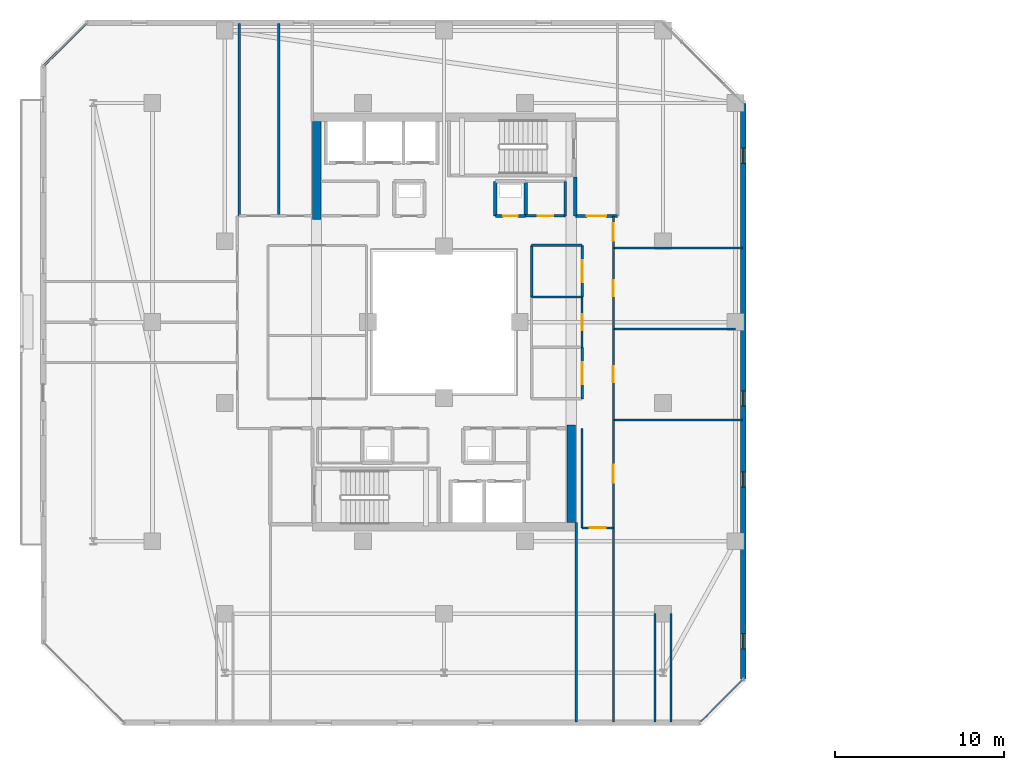
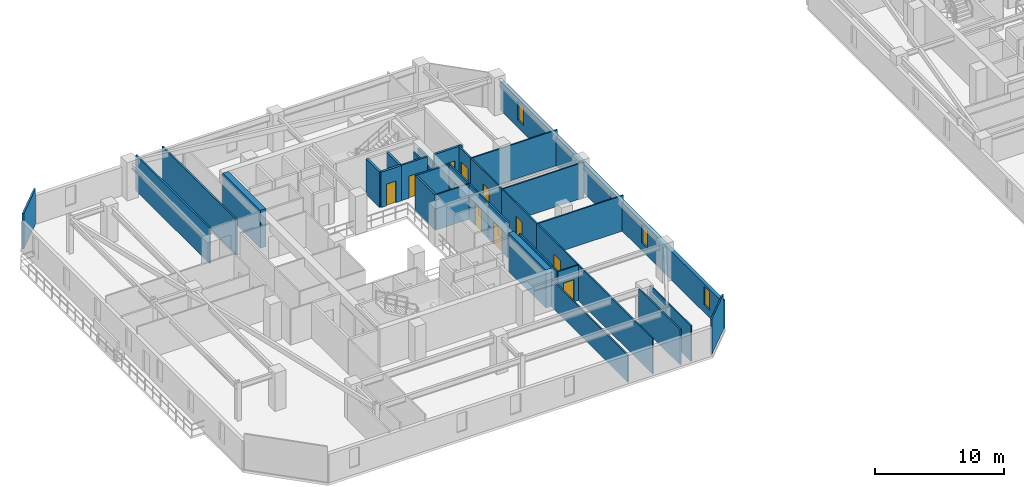
# One storey, part 20 of 32: 33 walls, 11 doors, 4 windows, 15 openings.
"""IFC4 building model written with IfcOpenShell, lengths in metres."""

import ifcopenshell
import ifcopenshell.guid

model = None  # the IFC model being written
_history = None  # IfcOwnerHistory: only IFC2X3 demands one
_inside = {}  # id of a spatial element -> (the spatial element, [elements in it])
_under = {}  # id of a project, library or spatial element -> (it, [spatial elements below it])
_declared = {}  # id of a project -> (the project, [libraries it declares])
_typed = {}  # id of a type object -> (the type object, [elements of that type])
_made_of = {}  # id of a material, layer set ... -> (it, [elements and type objects made of it])


def new_model(schema):
    """Start an empty IFC model of exactly this schema.

    Asked for "IFC4X3", IfcOpenShell would pick the latest addendum, in which some entities
    have other attributes; the version numbers below select the first issue.
    IFC2X3 requires an IfcOwnerHistory on every rooted entity: one is made here for all.
    """
    global model, _history
    if schema == "IFC4X3":
        model = ifcopenshell.file(schema_version=(4, 3, 0, 0))
    else:
        model = ifcopenshell.file(schema=schema)
    _inside.clear()
    _under.clear()
    _declared.clear()
    _typed.clear()
    _made_of.clear()
    _history = None
    if model.schema == "IFC2X3":
        org = make("IfcOrganization", Name="unknown")
        user = make(
            "IfcPersonAndOrganization",
            ThePerson=make("IfcPerson", FamilyName="unknown"),
            TheOrganization=org,
        )
        app = make(
            "IfcApplication",
            ApplicationDeveloper=org,
            Version="unknown",
            ApplicationFullName="unknown",
            ApplicationIdentifier="unknown",
        )
        _history = make(
            "IfcOwnerHistory",
            OwningUser=user,
            OwningApplication=app,
            ChangeAction="ADDED",
            CreationDate=0,
        )
    return model


def make(cls, **values):
    """One entity of the class cls with the attributes given. An attribute that is None is left unset."""
    return model.create_entity(
        cls, **{name: value for name, value in values.items() if value is not None}
    )


def rooted(cls, **values):
    """An entity with a GlobalId (a new one), such as an element, a storey or a relation."""
    return make(cls, GlobalId=ifcopenshell.guid.new(), OwnerHistory=_history, **values)


def si_unit(unit_type, name, prefix=None):
    """IfcSIUnit, for example si_unit("LENGTHUNIT", "METRE", prefix="MILLI")."""
    return make("IfcSIUnit", UnitType=unit_type, Prefix=prefix, Name=name)


def assignment(units):
    """IfcUnitAssignment: the units of a project."""
    return None if units is None else make("IfcUnitAssignment", Units=units)


def point(xyz):
    """IfcCartesianPoint."""
    return None if xyz is None else make("IfcCartesianPoint", Coordinates=xyz)


def direction(xyz):
    """IfcDirection."""
    return None if xyz is None else make("IfcDirection", DirectionRatios=xyz)


def frame(location, z_axis=None, x_axis=None):
    """IfcAxis2Placement3D, a coordinate frame: its origin and axes. An axis left out is left unset."""
    return make(
        "IfcAxis2Placement3D",
        Location=point(location),
        Axis=direction(z_axis),
        RefDirection=direction(x_axis),
    )


def frame_2d(location, x_axis=None):
    """IfcAxis2Placement2D, a coordinate frame in the plane: its origin and x axis."""
    return make(
        "IfcAxis2Placement2D", Location=point(location), RefDirection=direction(x_axis)
    )


def origin():
    """The frame at (0, 0, 0) with its axes left unset."""
    return frame((0.0, 0.0, 0.0))


def place(relative_to, where):
    """IfcLocalPlacement: puts the frame where relative to a parent placement (None: the world)."""
    return make(
        "IfcLocalPlacement", PlacementRelTo=relative_to, RelativePlacement=where
    )


def context(
    kind, dimensions, precision=None, world=None, true_north=None, identifier=None
):
    """IfcGeometricRepresentationContext, for example the 3D "Model" context."""
    return make(
        "IfcGeometricRepresentationContext",
        ContextIdentifier=identifier,
        ContextType=kind,
        CoordinateSpaceDimension=dimensions,
        Precision=precision,
        WorldCoordinateSystem=world,
        TrueNorth=true_north,
    )


def subcontext(parent, identifier, kind, view, scale=None):
    """IfcGeometricRepresentationSubContext, for example "Body" below "Model"."""
    return make(
        "IfcGeometricRepresentationSubContext",
        ContextIdentifier=identifier,
        ContextType=kind,
        ParentContext=parent,
        TargetScale=scale,
        TargetView=view,
    )


def project(units=None, contexts=None):
    """IfcProject with its units and contexts."""
    return rooted(
        "IfcProject",
        Name="project",
        RepresentationContexts=contexts,
        UnitsInContext=assignment(units),
    )


def spatial(cls, under=None, at=None, **own):
    """A site, building, storey or space (cls), placed at a placement, below another one or the project."""
    s = rooted(cls, ObjectPlacement=at, **own)
    if under is not None:
        _under.setdefault(under.id(), (under, []))[1].append(s)
    return s


def profile(cls, at=None, kind="AREA", **sizes):
    """A parametric profile (cls). Its sizes go by their IFC names, for example OverallWidth=200.0."""
    return make(cls, ProfileType=kind, Position=at, **sizes)


def rectangle(**sizes):
    """IfcRectangleProfileDef."""
    return profile("IfcRectangleProfileDef", **sizes)


def extrude(swept, where, along, depth):
    """IfcExtrudedAreaSolid: the profile swept, set in the frame where, extruded along a direction by depth."""
    return make(
        "IfcExtrudedAreaSolid",
        SweptArea=swept,
        Position=where,
        ExtrudedDirection=direction(along),
        Depth=depth,
    )


def shape(context_of_items, identifier, shape_type, items):
    """IfcShapeRepresentation: the items that make up one representation, for example the "Body"."""
    return make(
        "IfcShapeRepresentation",
        ContextOfItems=context_of_items,
        RepresentationIdentifier=identifier,
        RepresentationType=shape_type,
        Items=items,
    )


def material(Name=None, Category=None):
    """IfcMaterial."""
    return make("IfcMaterial", Name=Name, Category=Category)


def layer(
    of_material, thickness, ventilated=None, Name=None, Category=None, Priority=None
):
    """IfcMaterialLayer: one layer of a wall or slab, of a material (None: an air gap)."""
    return make(
        "IfcMaterialLayer",
        Material=of_material,
        LayerThickness=thickness,
        IsVentilated=ventilated,
        Name=Name,
        Category=Category,
        Priority=Priority,
    )


def layer_set(layers, Name=None):
    """IfcMaterialLayerSet."""
    return make("IfcMaterialLayerSet", MaterialLayers=layers, LayerSetName=Name)


def made_of(thing, what):
    """Note that an element or type object is made of a material, layer set ...; save() writes the relation."""
    if what is not None:
        _made_of.setdefault(what.id(), (what, []))[1].append(thing)
    return thing


def type_object(cls, material=None, **own):
    """A type object (cls), such as IfcWallType, which elements share."""
    return made_of(rooted(cls, **own), material)


def element(
    cls,
    number,
    at=None,
    inside=None,
    cuts=None,
    type_object=None,
    material=None,
    context=None,
    identifier="Body",
    shape_type=None,
    held_by="IfcProductDefinitionShape",
    body=None,
    shapes=None,
    **own,
):
    """One element of the class cls, such as IfcWall. Its Tag is "e" and its number.

    at: its placement. inside: the storey or other place that contains it. cuts: it is an
    opening in that element (IfcRelVoidsElement). A single representation is given by context,
    identifier, shape_type and body (its items); several are given by shapes. held_by: the class
    of the entity that holds the representations. save() writes the other relations.
    """
    e = rooted(cls, Tag="e%d" % number, ObjectPlacement=at, **own)
    if body is not None:
        shapes = [shape(context, identifier, shape_type, body)]
    if shapes is not None:
        e.Representation = make(held_by, Representations=shapes)
    if inside is not None:
        _inside.setdefault(inside.id(), (inside, []))[1].append(e)
    if cuts is not None:
        rooted(
            "IfcRelVoidsElement", RelatingBuildingElement=cuts, RelatedOpeningElement=e
        )
    if type_object is not None:
        _typed.setdefault(type_object.id(), (type_object, []))[1].append(e)
    return made_of(e, material)


def fill(opening, filler):
    """IfcRelFillsElement: the door or window that sits in an opening."""
    return rooted(
        "IfcRelFillsElement",
        RelatingOpeningElement=opening,
        RelatedBuildingElement=filler,
    )


def aggregate(whole, parts):
    """IfcRelAggregates: a whole, such as a stair, and the parts it consists of."""
    return rooted("IfcRelAggregates", RelatingObject=whole, RelatedObjects=parts)


def save(model, path):
    """Write the relations noted so far, then the file.

    IfcRelAggregates (storeys below a building ...), IfcRelContainedInSpatialStructure (elements
    in a storey), IfcRelDefinesByType, IfcRelAssociatesMaterial and IfcRelDeclares: one each for
    every whole, place, type object, material and project.
    """
    for whole, parts in _under.values():
        aggregate(whole, parts)
    for where, things in _inside.values():
        rooted(
            "IfcRelContainedInSpatialStructure",
            RelatedElements=things,
            RelatingStructure=where,
        )
    for kind, things in _typed.values():
        rooted("IfcRelDefinesByType", RelatedObjects=things, RelatingType=kind)
    for what, things in _made_of.values():
        rooted("IfcRelAssociatesMaterial", RelatedObjects=things, RelatingMaterial=what)
    for by, libraries in _declared.values():
        rooted("IfcRelDeclares", RelatingContext=by, RelatedDefinitions=libraries)
    model.write(path)


model = new_model("IFC4")

# Units and contexts
model_context = context("Model", 3, precision=1e-05, world=origin(), true_north=direction((0.0, 1.0)))
body_context = subcontext(model_context, "Body", "Model", "MODEL_VIEW")
ifc_project = project(units=[si_unit("LENGTHUNIT", "METRE"), si_unit("AREAUNIT", "SQUARE_METRE"), si_unit("VOLUMEUNIT", "CUBIC_METRE"), si_unit("PLANEANGLEUNIT", "RADIAN"), si_unit("MASSUNIT", "GRAM", prefix="KILO")], contexts=[model_context])

# Site, building, storey
site_placement = place(None, origin())
site = spatial("IfcSite", under=ifc_project, at=site_placement, CompositionType="ELEMENT")
building_placement = place(site_placement, origin())
building = spatial("IfcBuilding", under=site, at=building_placement, Name="Thornwick Lancets Civic Towers", CompositionType="ELEMENT")
storey_placement = place(building_placement, frame((0.0, 0.0, 247.5)))
storey = spatial("IfcBuildingStorey", under=building, at=storey_placement, Name="L66", CompositionType="ELEMENT", Elevation=247.5)

# Wall, opening, door
ifc_material_1 = material(Name="Concrete blockwork C40/50", Category="masonry")
ifc_layer_1 = layer(ifc_material_1, 0.199951171875, Name="Concrete blockwork C40/50")
ifc_layer_set_1 = layer_set([ifc_layer_1], Name="Concrete blockwork C40/50")
wall_type_1 = type_object("IfcWallType", Name="WALL_COMP_200", PredefinedType="STANDARD", material=ifc_layer_set_1)
wall_1_placement = place(storey_placement, frame((33.300048828125, 33.300048828125, 0.0), z_axis=(0.0, 0.0, 1.0), x_axis=(1.0, 0.0, 0.0)))
wall_1 = element("IfcWall", 1, at=wall_1_placement, inside=storey, type_object=wall_type_1, Name="L66 Partition L66-A-FFLOB2 E1", PredefinedType="STANDARD", context=body_context, shape_type="SweptSolid", body=[
    extrude(rectangle(XDim=2.5, YDim=0.199951171875, at=frame_2d((1.25, 0.0))), origin(), (0.0, 0.0, 1.0), 3.340087890625),
])
opening_1_placement = place(wall_1_placement, frame((0.675048828125, 0.0, 0.0)))
opening_1 = element("IfcOpeningElement", 2, at=opening_1_placement, cuts=wall_1, Name="Opening D-L66-2974", PredefinedType="OPENING", context=body_context, shape_type="SweptSolid", body=[
    extrude(rectangle(XDim=1.14990234375, YDim=2.10009765625, at=frame_2d((0.574951171875, 1.050048828125))), frame((0.0, 0.10986328125, 0.0), z_axis=(0.0, -1.0, 0.0), x_axis=(1.0, 0.0, 0.0)), (0.0, 0.0, 1.0), 0.219970703125),
])
ifc_material_2 = material(Name="Glazed fire-resisting steel", Category="steel")
door_type_1 = type_object("IfcDoorType", Name="DOOR_LOBBY_FD60", OperationType="NOTDEFINED", PredefinedType="DOOR", material=ifc_material_2)
door_1_placement = place(opening_1_placement, origin())
door_1 = element("IfcDoor", 3, at=door_1_placement, inside=storey, type_object=door_type_1, Name="L66 North Firefighting Lobby 2 Door", OperationType="SINGLE_SWING_LEFT", OverallHeight=2.10009765625, OverallWidth=1.14990234375, PredefinedType="DOOR", context=body_context, shape_type="SweptSolid", body=[
    extrude(rectangle(XDim=1.14990234375, YDim=2.10009765625, at=frame_2d((0.574951171875, 1.050048828125))), frame((0.0, 0.02490234375, 0.0), z_axis=(0.0, -1.0, 0.0), x_axis=(1.0, 0.0, 0.0)), (0.0, 0.0, 1.0), 0.050048828125),
])
fill(opening_1, door_1)

# Wall
wall_2_placement = place(storey_placement, frame((33.300048828125, 35.60009765625, 0.0), z_axis=(0.0, 0.0, 1.0), x_axis=(0.0, -1.0, 0.0)))
element("IfcWall", 4, at=wall_2_placement, inside=storey, type_object=wall_type_1, Name="L66 Partition L66-A-FFLOB2 E4", PredefinedType="STANDARD", context=body_context, shape_type="SweptSolid", body=[
    extrude(rectangle(XDim=2.300048828125, YDim=0.199951171875, at=frame_2d((1.14990234375, 0.0))), origin(), (0.0, 0.0, 1.0), 2.544921875),
])

# Wall, opening, door
wall_3_placement = place(storey_placement, frame((28.550048828125, 33.300048828125, 0.0), z_axis=(0.0, 0.0, 1.0), x_axis=(1.0, 0.0, 0.0)))
wall_3 = element("IfcWall", 5, at=wall_3_placement, inside=storey, type_object=wall_type_1, Name="L66 Partition L66-A-RISER2 E1", PredefinedType="STANDARD", context=body_context, shape_type="SweptSolid", body=[
    extrude(rectangle(XDim=1.800048828125, YDim=0.199951171875, at=frame_2d((0.89990234375, 0.0))), origin(), (0.0, 0.0, 1.0), 3.340087890625),
])
opening_2_placement = place(wall_3_placement, frame((0.4599609375, 0.0, 0.0)))
opening_2 = element("IfcOpeningElement", 6, at=opening_2_placement, cuts=wall_3, Name="Opening D-L66-2978", PredefinedType="OPENING", context=body_context, shape_type="SweptSolid", body=[
    extrude(rectangle(XDim=0.8798828125, YDim=2.0400390625, at=frame_2d((0.43994140625, 1.02001953125))), frame((0.0, 0.10986328125, 0.0), z_axis=(0.0, -1.0, 0.0), x_axis=(1.0, 0.0, 0.0)), (0.0, 0.0, 1.0), 0.219970703125),
])
ifc_material_3 = material(Name="Steel riser access doorset", Category="steel")
door_type_2 = type_object("IfcDoorType", Name="DOOR_RISER_850", OperationType="NOTDEFINED", PredefinedType="DOOR", material=ifc_material_3)
door_2_placement = place(opening_2_placement, origin())
door_2 = element("IfcDoor", 7, at=door_2_placement, inside=storey, type_object=door_type_2, Name="L66 North Service Riser 2 Door", OperationType="SINGLE_SWING_LEFT", OverallHeight=2.0400390625, OverallWidth=0.8798828125, PredefinedType="DOOR", context=body_context, shape_type="SweptSolid", body=[
    extrude(rectangle(XDim=0.8798828125, YDim=2.0400390625, at=frame_2d((0.43994140625, 1.02001953125))), frame((0.0, 0.02490234375, 0.0), z_axis=(0.0, -1.0, 0.0), x_axis=(1.0, 0.0, 0.0)), (0.0, 0.0, 1.0), 0.050048828125),
])
fill(opening_2, door_2)

# Walls
for number, where, z_axis, x_axis, name in (
    (8, (30.35009765625, 33.300048828125, 0.0), (0.0, 0.0, 1.0), (0.0, 1.0, 0.0), "L66 Partition L66-A-RISER2 E2"),
    (9, (28.550048828125, 35.35009765625, 0.0), (0.0, 0.0, 1.0), (0.0, -1.0, 0.0), "L66 Partition L66-A-RISER2 E4"),
):
    element("IfcWall", number, at=place(storey_placement, frame(where, z_axis=z_axis, x_axis=x_axis)), inside=storey, type_object=wall_type_1, Name=name, PredefinedType="STANDARD", context=body_context, shape_type="SweptSolid", body=[
        extrude(rectangle(XDim=2.050048828125, YDim=0.199951171875, at=frame_2d((1.02490234375, 0.0))), origin(), (0.0, 0.0, 1.0), 3.340087890625),
    ])
ifc_material_4 = material(Name="Concrete C50/60", Category="concrete")
ifc_layer_2 = layer(ifc_material_4, 0.5, Name="Concrete C50/60")
ifc_layer_set_2 = layer_set([ifc_layer_2], Name="Concrete C50/60")
wall_type_2 = type_object("IfcWallType", Name="WALL_CORE_500", PredefinedType="SHEAR", material=ifc_layer_set_2)
for number, where, z_axis, x_axis, name in (
    (10, (33.050048828125, 15.10009765625, 0.0), (0.0, 0.0, 1.0), (0.0, 1.0, 0.0), "L66 Split Core A1 Shear Wall E"),
    (11, (17.949951171875, 33.10009765625, 0.0), (0.0, 0.0, 1.0), (0.0, 1.0, 0.0), "L66 Split Core A2 Shear Wall W"),
):
    element("IfcWall", number, at=place(storey_placement, frame(where, z_axis=z_axis, x_axis=x_axis)), inside=storey, type_object=wall_type_2, Name=name, PredefinedType="SHEAR", context=body_context, shape_type="SweptSolid", body=[
        extrude(rectangle(XDim=5.7998046875, YDim=0.5, at=frame_2d((2.89990234375, 0.0))), origin(), (0.0, 0.0, 1.0), 3.60009765625),
    ])

# Wall, openings, windows
ifc_material_5 = material(Name="Insulated buff terracotta rainscreen on concrete C40/50", Category="masonry")
ifc_layer_3 = layer(ifc_material_5, 0.320068359375, Name="Insulated buff terracotta rainscreen on concrete C40/50")
ifc_layer_set_3 = layer_set([ifc_layer_3], Name="Insulated buff terracotta rainscreen on concrete C40/50")
wall_type_3 = type_object("IfcWallType", Name="WALL_EXT_TERRA_320", PredefinedType="STANDARD", material=ifc_layer_set_3)
wall_4_placement = place(storey_placement, frame((43.2646484375, 5.818603515625, 0.0), z_axis=(0.0, 0.0, 1.0), x_axis=(-0.000214431216, 0.99999997701, 0.0)))
wall_4 = element("IfcWall", 12, at=wall_4_placement, inside=storey, type_object=wall_type_3, Name="L66 Tower A Terracotta Facade Wall E2", PredefinedType="STANDARD", context=body_context, shape_type="SweptSolid", body=[
    extrude(rectangle(XDim=34.156494140625, YDim=0.320068359375, at=frame_2d((17.078125, 0.0))), origin(), (0.0, 0.0, 1.0), 2.699951171875),
])
opening_3_placement = place(wall_4_placement, frame((1.800048828125, 0.0, 0.719970703125)))
opening_3 = element("IfcOpeningElement", 13, at=opening_3_placement, cuts=wall_4, Name="Opening WL-01", PredefinedType="OPENING", context=body_context, shape_type="SweptSolid", body=[
    extrude(rectangle(XDim=0.89990234375, YDim=1.75, at=frame_2d((0.449951171875, 0.875))), frame((0.0, 0.169921875, 0.0), z_axis=(0.0, -1.0, 0.0), x_axis=(1.0, 0.0, 0.0)), (0.0, 0.0, 1.0), 0.340087890625),
])
opening_4_placement = place(wall_4_placement, frame((11.39990234375, 0.0, 0.719970703125)))
opening_4 = element("IfcOpeningElement", 14, at=opening_4_placement, cuts=wall_4, Name="Opening WL-01", PredefinedType="OPENING", context=body_context, shape_type="SweptSolid", body=[
    extrude(rectangle(XDim=0.89990234375, YDim=1.75, at=frame_2d((0.449951171875, 0.875))), frame((0.0, 0.169921875, 0.0), z_axis=(0.0, -1.0, 0.0), x_axis=(1.0, 0.0, 0.0)), (0.0, 0.0, 1.0), 0.340087890625),
])
opening_5_placement = place(wall_4_placement, frame((16.199951171875, 0.0, 0.719970703125)))
opening_5 = element("IfcOpeningElement", 15, at=opening_5_placement, cuts=wall_4, Name="Opening WL-01", PredefinedType="OPENING", context=body_context, shape_type="SweptSolid", body=[
    extrude(rectangle(XDim=0.89990234375, YDim=1.75, at=frame_2d((0.449951171875, 0.875))), frame((0.0, 0.169921875, 0.0), z_axis=(0.0, -1.0, 0.0), x_axis=(1.0, 0.0, 0.0)), (0.0, 0.0, 1.0), 0.340087890625),
])
opening_6_placement = place(wall_4_placement, frame((30.60009765625, 0.0, 0.719970703125)))
opening_6 = element("IfcOpeningElement", 16, at=opening_6_placement, cuts=wall_4, Name="Opening WL-01", PredefinedType="OPENING", context=body_context, shape_type="SweptSolid", body=[
    extrude(rectangle(XDim=0.89990234375, YDim=1.75, at=frame_2d((0.449951171875, 0.875))), frame((0.0, 0.169921875, 0.0), z_axis=(0.0, -1.0, 0.0), x_axis=(1.0, 0.0, 0.0)), (0.0, 0.0, 1.0), 0.340087890625),
])
ifc_material_6 = material(Name="Clear low-e double glazing in bronze frame", Category="glass")
window_type = type_object("IfcWindowType", Name="WIN_LANCET_900", PartitioningType="SINGLE_PANEL", PredefinedType="WINDOW", material=ifc_material_6)
window_1_placement = place(opening_3_placement, origin())
window_1 = element("IfcWindow", 17, at=window_1_placement, inside=storey, type_object=window_type, Name="L66 Tower A Staggered Lancet Window E2-1", OverallHeight=1.75, OverallWidth=0.89990234375, PartitioningType="SINGLE_PANEL", PredefinedType="WINDOW", context=body_context, shape_type="SweptSolid", body=[
    extrude(rectangle(XDim=0.89990234375, YDim=1.75, at=frame_2d((0.449951171875, 0.875))), frame((0.0, 0.030029296875, 0.0), z_axis=(0.0, -1.0, 0.0), x_axis=(1.0, 0.0, 0.0)), (0.0, 0.0, 1.0), 0.06005859375),
])
fill(opening_3, window_1)
window_2_placement = place(opening_4_placement, origin())
window_2 = element("IfcWindow", 18, at=window_2_placement, inside=storey, type_object=window_type, Name="L66 Tower A Staggered Lancet Window E2-2", OverallHeight=1.75, OverallWidth=0.89990234375, PartitioningType="SINGLE_PANEL", PredefinedType="WINDOW", context=body_context, shape_type="SweptSolid", body=[
    extrude(rectangle(XDim=0.89990234375, YDim=1.75, at=frame_2d((0.449951171875, 0.875))), frame((0.0, 0.030029296875, 0.0), z_axis=(0.0, -1.0, 0.0), x_axis=(1.0, 0.0, 0.0)), (0.0, 0.0, 1.0), 0.06005859375),
])
fill(opening_4, window_2)
window_3_placement = place(opening_5_placement, origin())
window_3 = element("IfcWindow", 19, at=window_3_placement, inside=storey, type_object=window_type, Name="L66 Tower A Staggered Lancet Window E2-3", OverallHeight=1.75, OverallWidth=0.89990234375, PartitioningType="SINGLE_PANEL", PredefinedType="WINDOW", context=body_context, shape_type="SweptSolid", body=[
    extrude(rectangle(XDim=0.89990234375, YDim=1.75, at=frame_2d((0.449951171875, 0.875))), frame((0.0, 0.030029296875, 0.0), z_axis=(0.0, -1.0, 0.0), x_axis=(1.0, 0.0, 0.0)), (0.0, 0.0, 1.0), 0.06005859375),
])
fill(opening_5, window_3)
window_4_placement = place(opening_6_placement, origin())
window_4 = element("IfcWindow", 20, at=window_4_placement, inside=storey, type_object=window_type, Name="L66 Tower A Staggered Lancet Window E2-4", OverallHeight=1.75, OverallWidth=0.89990234375, PartitioningType="SINGLE_PANEL", PredefinedType="WINDOW", context=body_context, shape_type="SweptSolid", body=[
    extrude(rectangle(XDim=0.89990234375, YDim=1.75, at=frame_2d((0.449951171875, 0.875))), frame((0.0, 0.030029296875, 0.0), z_axis=(0.0, -1.0, 0.0), x_axis=(1.0, 0.0, 0.0)), (0.0, 0.0, 1.0), 0.06005859375),
])
fill(opening_6, window_4)

# Wall
ifc_material_7 = material(Name="Acoustic gypsum board partition")
ifc_layer_4 = layer(ifc_material_7, 0.1201171875, Name="Acoustic gypsum board partition")
ifc_layer_set_4 = layer_set([ifc_layer_4], Name="Acoustic gypsum board partition")
wall_type_4 = type_object("IfcWallType", Name="WALL_PART_120", PredefinedType="PARTITIONING", material=ifc_layer_set_4)
wall_5_placement = place(storey_placement, frame((33.699951171875, 20.699951171875, 0.0), z_axis=(0.0, 0.0, 1.0), x_axis=(0.0, -1.0, 0.0)))
element("IfcWall", 21, at=wall_5_placement, inside=storey, type_object=wall_type_4, Name="L66 Partition L66-A-RECLAIM-L E1", PredefinedType="PARTITIONING", context=body_context, shape_type="SweptSolid", body=[
    extrude(rectangle(XDim=5.89990234375, YDim=0.1201171875, at=frame_2d((2.949951171875, 0.0))), origin(), (0.0, 0.0, 1.0), 3.340087890625),
])

# Wall, opening, door
wall_6_placement = place(storey_placement, frame((33.699951171875, 14.800048828125, 0.0), z_axis=(0.0, 0.0, 1.0), x_axis=(1.0, 0.0, 0.0)))
wall_6 = element("IfcWall", 22, at=wall_6_placement, inside=storey, type_object=wall_type_4, Name="L66 Partition L66-A-RECLAIM-L E2", PredefinedType="PARTITIONING", context=body_context, shape_type="SweptSolid", body=[
    extrude(rectangle(XDim=1.85009765625, YDim=0.1201171875, at=frame_2d((0.925048828125, 0.0))), origin(), (0.0, 0.0, 1.0), 3.340087890625),
])
opening_7_placement = place(wall_6_placement, frame((0.449951171875, 0.0, 0.0)))
opening_7 = element("IfcOpeningElement", 23, at=opening_7_placement, cuts=wall_6, Name="Opening D-L66-2997", PredefinedType="OPENING", context=body_context, shape_type="SweptSolid", body=[
    extrude(rectangle(XDim=0.949951171875, YDim=2.10009765625, at=frame_2d((0.47509765625, 1.050048828125))), frame((0.0, 0.070068359375, 0.0), z_axis=(0.0, -1.0, 0.0), x_axis=(1.0, 0.0, 0.0)), (0.0, 0.0, 1.0), 0.14013671875),
])
ifc_material_8 = material(Name="European oak acoustic doorset")
door_type_3 = type_object("IfcDoorType", Name="DOOR_OFFICE_950", OperationType="NOTDEFINED", PredefinedType="DOOR", material=ifc_material_8)
door_3_placement = place(opening_7_placement, origin())
door_3 = element("IfcDoor", 24, at=door_3_placement, inside=storey, type_object=door_type_3, Name="L66 Tower A Parliamentary Drafting Library Door", OperationType="SINGLE_SWING_RIGHT", OverallHeight=2.10009765625, OverallWidth=0.949951171875, PredefinedType="DOOR", context=body_context, shape_type="SweptSolid", body=[
    extrude(rectangle(XDim=0.949951171875, YDim=2.10009765625, at=frame_2d((0.47509765625, 1.050048828125))), frame((0.0, 0.02490234375, 0.0), z_axis=(0.0, -1.0, 0.0), x_axis=(1.0, 0.0, 0.0)), (0.0, 0.0, 1.0), 0.050048828125),
])
fill(opening_7, door_3)

# Walls
wall_7_placement = place(storey_placement, frame((35.550048828125, 14.800048828125, 0.0), z_axis=(0.0, 0.0, 1.0), x_axis=(0.0, -1.0, 0.0)))
element("IfcWall", 25, at=wall_7_placement, inside=storey, type_object=wall_type_4, Name="L66 Partition L66-A-RECLAIM-L E3", PredefinedType="PARTITIONING", context=body_context, shape_type="SweptSolid", body=[
    extrude(rectangle(XDim=11.52001953125, YDim=0.1201171875, at=frame_2d((5.760009765625, 0.0))), origin(), (0.0, 0.0, 1.0), 3.340087890625),
])
wall_8_placement = place(storey_placement, frame((33.35009765625, 3.280029296875, 0.0), z_axis=(0.0, 0.0, 1.0), x_axis=(0.0, 1.0, 0.0)))
element("IfcWall", 26, at=wall_8_placement, inside=storey, type_object=wall_type_4, Name="L66 Partition L66-A-RECLAIM-L E5", PredefinedType="PARTITIONING", context=body_context, shape_type="SweptSolid", body=[
    extrude(rectangle(XDim=11.820068359375, YDim=0.1201171875, at=frame_2d((5.91015625, 0.0))), origin(), (0.0, 0.0, 1.0), 2.544921875),
])
for number, where, z_axis, x_axis, name in (
    (27, (38.97998046875, 3.280029296875, 0.0), (0.0, 0.0, 1.0), (0.0, 1.0, 0.0), "L66 Partition L66-A-E1 E2"),
    (28, (38.02001953125, 9.699951171875, 0.0), (0.0, 0.0, 1.0), (0.0, -1.0, 0.0), "L66 Partition L66-A-E1 E4"),
):
    element("IfcWall", number, at=place(storey_placement, frame(where, z_axis=z_axis, x_axis=x_axis)), inside=storey, type_object=wall_type_4, Name=name, PredefinedType="PARTITIONING", context=body_context, shape_type="SweptSolid", body=[
        extrude(rectangle(XDim=6.419921875, YDim=0.1201171875, at=frame_2d((3.2099609375, 0.0))), origin(), (0.0, 0.0, 1.0), 3.340087890625),
    ])

# Wall, opening, door
wall_9_placement = place(storey_placement, frame((35.550048828125, 14.800048828125, 0.0), z_axis=(0.0, 0.0, 1.0), x_axis=(0.0, 1.0, 0.0)))
wall_9 = element("IfcWall", 29, at=wall_9_placement, inside=storey, type_object=wall_type_4, Name="L66 Partition L66-A-E1 E7", PredefinedType="PARTITIONING", context=body_context, shape_type="SweptSolid", body=[
    extrude(rectangle(XDim=6.39990234375, YDim=0.1201171875, at=frame_2d((3.199951171875, 0.0))), origin(), (0.0, 0.0, 1.0), 3.340087890625),
])
opening_8_placement = place(wall_9_placement, frame((2.675048828125, 0.0, 0.0)))
opening_8 = element("IfcOpeningElement", 30, at=opening_8_placement, cuts=wall_9, Name="Opening D-L66-3006", PredefinedType="OPENING", context=body_context, shape_type="SweptSolid", body=[
    extrude(rectangle(XDim=1.050048828125, YDim=2.10009765625, at=frame_2d((0.52490234375, 1.050048828125))), frame((0.0, 0.070068359375, 0.0), z_axis=(0.0, -1.0, 0.0), x_axis=(1.0, 0.0, 0.0)), (0.0, 0.0, 1.0), 0.14013671875),
])
ifc_material_9 = material(Name="Glazed European oak executive doorset")
door_type_4 = type_object("IfcDoorType", Name="DOOR_OFFICE_1050", OperationType="NOTDEFINED", PredefinedType="DOOR", material=ifc_material_9)
door_4_placement = place(opening_8_placement, origin())
door_4 = element("IfcDoor", 31, at=door_4_placement, inside=storey, type_object=door_type_4, Name="L66 Tower A Secretariat Open Office E1 Door", OperationType="SINGLE_SWING_LEFT", OverallHeight=2.10009765625, OverallWidth=1.050048828125, PredefinedType="DOOR", context=body_context, shape_type="SweptSolid", body=[
    extrude(rectangle(XDim=1.050048828125, YDim=2.10009765625, at=frame_2d((0.52490234375, 1.050048828125))), frame((0.0, 0.02490234375, 0.0), z_axis=(0.0, -1.0, 0.0), x_axis=(1.0, 0.0, 0.0)), (0.0, 0.0, 1.0), 0.050048828125),
])
fill(opening_8, door_4)

# Walls
wall_10_placement = place(storey_placement, frame((35.550048828125, 21.199951171875, 0.0), z_axis=(0.0, 0.0, 1.0), x_axis=(1.0, 0.0, 0.0)))
element("IfcWall", 32, at=wall_10_placement, inside=storey, type_object=wall_type_4, Name="L66 Partition L66-A-E1 E8", PredefinedType="PARTITIONING", context=body_context, shape_type="SweptSolid", body=[
    extrude(rectangle(XDim=7.669921875, YDim=0.1201171875, at=frame_2d((3.8349609375, 0.0))), origin(), (0.0, 0.0, 1.0), 3.340087890625),
])
wall_11_placement = place(storey_placement, frame((43.219970703125, 5.774658203125, 0.0), z_axis=(0.0, 0.0, 1.0), x_axis=(-0.707106781187, -0.707106781187, 0.0)))
element("IfcWall", 33, at=wall_11_placement, inside=storey, type_object=wall_type_4, Name="L66 Partition L66-A-E1 E14", PredefinedType="PARTITIONING", context=body_context, shape_type="SweptSolid", body=[
    extrude(rectangle(XDim=3.52783203125, YDim=0.1201171875, at=frame_2d((1.763916015625, 0.0))), origin(), (0.0, 0.0, 1.0), 3.340087890625),
])

# Wall, opening, door
wall_12_placement = place(storey_placement, frame((35.550048828125, 21.199951171875, 0.0), z_axis=(0.0, 0.0, 1.0), x_axis=(0.0, 1.0, 0.0)))
wall_12 = element("IfcWall", 34, at=wall_12_placement, inside=storey, type_object=wall_type_4, Name="L66 Partition L66-A-E2 E1", PredefinedType="PARTITIONING", context=body_context, shape_type="SweptSolid", body=[
    extrude(rectangle(XDim=5.400146484375, YDim=0.1201171875, at=frame_2d((2.7001953125, 0.0))), origin(), (0.0, 0.0, 1.0), 3.340087890625),
])
opening_9_placement = place(wall_12_placement, frame((2.22509765625, 0.0, 0.0)))
opening_9 = element("IfcOpeningElement", 35, at=opening_9_placement, cuts=wall_12, Name="Opening D-L66-3007", PredefinedType="OPENING", context=body_context, shape_type="SweptSolid", body=[
    extrude(rectangle(XDim=0.949951171875, YDim=2.10009765625, at=frame_2d((0.47509765625, 1.050048828125))), frame((0.0, 0.070068359375, 0.0), z_axis=(0.0, -1.0, 0.0), x_axis=(1.0, 0.0, 0.0)), (0.0, 0.0, 1.0), 0.14013671875),
])
door_5_placement = place(opening_9_placement, origin())
door_5 = element("IfcDoor", 36, at=door_5_placement, inside=storey, type_object=door_type_3, Name="L66 Tower A Visitors Reception and Waiting Door", OperationType="SINGLE_SWING_RIGHT", OverallHeight=2.10009765625, OverallWidth=0.949951171875, PredefinedType="DOOR", context=body_context, shape_type="SweptSolid", body=[
    extrude(rectangle(XDim=0.949951171875, YDim=2.10009765625, at=frame_2d((0.47509765625, 1.050048828125))), frame((0.0, 0.02490234375, 0.0), z_axis=(0.0, -1.0, 0.0), x_axis=(1.0, 0.0, 0.0)), (0.0, 0.0, 1.0), 0.050048828125),
])
fill(opening_9, door_5)

# Wall
wall_13_placement = place(storey_placement, frame((35.550048828125, 26.60009765625, 0.0), z_axis=(0.0, 0.0, 1.0), x_axis=(1.0, 0.0, 0.0)))
element("IfcWall", 37, at=wall_13_placement, inside=storey, type_object=wall_type_4, Name="L66 Partition L66-A-E2 E2", PredefinedType="PARTITIONING", context=body_context, shape_type="SweptSolid", body=[
    extrude(rectangle(XDim=7.25, YDim=0.1201171875, at=frame_2d((3.625, 0.0))), origin(), (0.0, 0.0, 1.0), 3.340087890625),
])

# Wall, opening, door
wall_14_placement = place(storey_placement, frame((35.550048828125, 26.60009765625, 0.0), z_axis=(0.0, 0.0, 1.0), x_axis=(0.0, 1.0, 0.0)))
wall_14 = element("IfcWall", 38, at=wall_14_placement, inside=storey, type_object=wall_type_4, Name="L66 Partition L66-A-E3 E3", PredefinedType="PARTITIONING", context=body_context, shape_type="SweptSolid", body=[
    extrude(rectangle(XDim=4.7998046875, YDim=0.1201171875, at=frame_2d((2.39990234375, 0.0))), origin(), (0.0, 0.0, 1.0), 3.340087890625),
])
opening_10_placement = place(wall_14_placement, frame((1.925048828125, 0.0, 0.0)))
opening_10 = element("IfcOpeningElement", 39, at=opening_10_placement, cuts=wall_14, Name="Opening D-L66-3008", PredefinedType="OPENING", context=body_context, shape_type="SweptSolid", body=[
    extrude(rectangle(XDim=0.949951171875, YDim=2.10009765625, at=frame_2d((0.47509765625, 1.050048828125))), frame((0.0, 0.070068359375, 0.0), z_axis=(0.0, -1.0, 0.0), x_axis=(1.0, 0.0, 0.0)), (0.0, 0.0, 1.0), 0.14013671875),
])
door_6_placement = place(opening_10_placement, origin())
door_6 = element("IfcDoor", 40, at=door_6_placement, inside=storey, type_object=door_type_3, Name="L66 Tower A Civic Seminar Room Door", OperationType="SINGLE_SWING_LEFT", OverallHeight=2.10009765625, OverallWidth=0.949951171875, PredefinedType="DOOR", context=body_context, shape_type="SweptSolid", body=[
    extrude(rectangle(XDim=0.949951171875, YDim=2.10009765625, at=frame_2d((0.47509765625, 1.050048828125))), frame((0.0, 0.02490234375, 0.0), z_axis=(0.0, -1.0, 0.0), x_axis=(1.0, 0.0, 0.0)), (0.0, 0.0, 1.0), 0.050048828125),
])
fill(opening_10, door_6)

# Wall
wall_15_placement = place(storey_placement, frame((35.550048828125, 31.39990234375, 0.0), z_axis=(0.0, 0.0, 1.0), x_axis=(1.0, 0.0, 0.0)))
element("IfcWall", 41, at=wall_15_placement, inside=storey, type_object=wall_type_4, Name="L66 Partition L66-A-E3 E4", PredefinedType="PARTITIONING", context=body_context, shape_type="SweptSolid", body=[
    extrude(rectangle(XDim=7.669921875, YDim=0.1201171875, at=frame_2d((3.8349609375, 0.0))), origin(), (0.0, 0.0, 1.0), 3.340087890625),
])

# Wall, opening, door
wall_16_placement = place(storey_placement, frame((35.550048828125, 31.39990234375, 0.0), z_axis=(0.0, 0.0, 1.0), x_axis=(0.0, 1.0, 0.0)))
wall_16 = element("IfcWall", 42, at=wall_16_placement, inside=storey, type_object=wall_type_4, Name="L66 Partition L66-A-E4 E10", PredefinedType="PARTITIONING", context=body_context, shape_type="SweptSolid", body=[
    extrude(rectangle(XDim=1.900146484375, YDim=0.1201171875, at=frame_2d((0.9501953125, 0.0))), origin(), (0.0, 0.0, 1.0), 3.340087890625),
])
opening_11_placement = place(wall_16_placement, frame((0.425048828125, 0.0, 0.0)))
opening_11 = element("IfcOpeningElement", 43, at=opening_11_placement, cuts=wall_16, Name="Opening D-L66-3009", PredefinedType="OPENING", context=body_context, shape_type="SweptSolid", body=[
    extrude(rectangle(XDim=1.050048828125, YDim=2.10009765625, at=frame_2d((0.52490234375, 1.050048828125))), frame((0.0, 0.070068359375, 0.0), z_axis=(0.0, -1.0, 0.0), x_axis=(1.0, 0.0, 0.0)), (0.0, 0.0, 1.0), 0.14013671875),
])
door_7_placement = place(opening_11_placement, origin())
door_7 = element("IfcDoor", 44, at=door_7_placement, inside=storey, type_object=door_type_4, Name="L66 Tower A Legislative Drafting Suite E4 Door", OperationType="SINGLE_SWING_RIGHT", OverallHeight=2.10009765625, OverallWidth=1.050048828125, PredefinedType="DOOR", context=body_context, shape_type="SweptSolid", body=[
    extrude(rectangle(XDim=1.050048828125, YDim=2.10009765625, at=frame_2d((0.52490234375, 1.050048828125))), frame((0.0, 0.02490234375, 0.0), z_axis=(0.0, -1.0, 0.0), x_axis=(1.0, 0.0, 0.0)), (0.0, 0.0, 1.0), 0.050048828125),
])
fill(opening_11, door_7)

# Wall
wall_17_placement = place(storey_placement, frame((30.699951171875, 28.5, 0.0), z_axis=(0.0, 0.0, 1.0), x_axis=(1.0, 0.0, 0.0)))
element("IfcWall", 45, at=wall_17_placement, inside=storey, type_object=wall_type_4, Name="L66 Partition L66-A-E-ATR-2 E2", PredefinedType="PARTITIONING", context=body_context, shape_type="SweptSolid", body=[
    extrude(rectangle(XDim=3.0, YDim=0.1201171875, at=frame_2d((1.5, 0.0))), origin(), (0.0, 0.0, 1.0), 3.340087890625),
])

# Wall, opening, door
wall_18_placement = place(storey_placement, frame((33.699951171875, 28.5, 0.0), z_axis=(0.0, 0.0, 1.0), x_axis=(0.0, -1.0, 0.0)))
wall_18 = element("IfcWall", 46, at=wall_18_placement, inside=storey, type_object=wall_type_4, Name="L66 Partition L66-A-E-ATR-2 E3", PredefinedType="PARTITIONING", context=body_context, shape_type="SweptSolid", body=[
    extrude(rectangle(XDim=3.0, YDim=0.1201171875, at=frame_2d((1.5, 0.0))), origin(), (0.0, 0.0, 1.0), 3.340087890625),
])
opening_12_placement = place(wall_18_placement, frame((1.02490234375, 0.0, 0.0)))
opening_12 = element("IfcOpeningElement", 47, at=opening_12_placement, cuts=wall_18, Name="Opening D-L66-3011", PredefinedType="OPENING", context=body_context, shape_type="SweptSolid", body=[
    extrude(rectangle(XDim=0.949951171875, YDim=2.10009765625, at=frame_2d((0.47509765625, 1.050048828125))), frame((0.0, 0.070068359375, 0.0), z_axis=(0.0, -1.0, 0.0), x_axis=(1.0, 0.0, 0.0)), (0.0, 0.0, 1.0), 0.14013671875),
])
door_8_placement = place(opening_12_placement, origin())
door_8 = element("IfcDoor", 48, at=door_8_placement, inside=storey, type_object=door_type_3, Name="L66 Tower A Atrium Research Suite Door", OperationType="SINGLE_SWING_RIGHT", OverallHeight=2.10009765625, OverallWidth=0.949951171875, PredefinedType="DOOR", context=body_context, shape_type="SweptSolid", body=[
    extrude(rectangle(XDim=0.949951171875, YDim=2.10009765625, at=frame_2d((0.47509765625, 1.050048828125))), frame((0.0, 0.02490234375, 0.0), z_axis=(0.0, -1.0, 0.0), x_axis=(1.0, 0.0, 0.0)), (0.0, 0.0, 1.0), 0.050048828125),
])
fill(opening_12, door_8)

# Wall
ifc_material_10 = material(Name="Twin-stud acoustic gypsum board")
ifc_layer_5 = layer(ifc_material_10, 0.14990234375, Name="Twin-stud acoustic gypsum board")
ifc_layer_set_5 = layer_set([ifc_layer_5], Name="Twin-stud acoustic gypsum board")
wall_type_5 = type_object("IfcWallType", Name="WALL_PART_150", PredefinedType="PARTITIONING", material=ifc_layer_set_5)
wall_19_placement = place(storey_placement, frame((32.699951171875, 35.35009765625, 0.0), z_axis=(0.0, 0.0, 1.0), x_axis=(0.0, -1.0, 0.0)))
element("IfcWall", 49, at=wall_19_placement, inside=storey, type_object=wall_type_5, Name="L66 Partition L66-A-FWC E1", PredefinedType="PARTITIONING", context=body_context, shape_type="SweptSolid", body=[
    extrude(rectangle(XDim=2.050048828125, YDim=0.14990234375, at=frame_2d((1.02490234375, 0.0))), origin(), (0.0, 0.0, 1.0), 2.544921875),
])

# Wall, opening, door
wall_20_placement = place(storey_placement, frame((32.699951171875, 33.300048828125, 0.0), z_axis=(0.0, 0.0, 1.0), x_axis=(-1.0, 0.0, 0.0)))
wall_20 = element("IfcWall", 50, at=wall_20_placement, inside=storey, type_object=wall_type_5, Name="L66 Partition L66-A-FWC E2", PredefinedType="PARTITIONING", context=body_context, shape_type="SweptSolid", body=[
    extrude(rectangle(XDim=2.349853515625, YDim=0.14990234375, at=frame_2d((1.1748046875, 0.0))), origin(), (0.0, 0.0, 1.0), 3.340087890625),
])
opening_13_placement = place(wall_20_placement, frame((0.715087890625, 0.0, 0.0)))
opening_13 = element("IfcOpeningElement", 51, at=opening_13_placement, cuts=wall_20, Name="Opening D-L66-2984", PredefinedType="OPENING", context=body_context, shape_type="SweptSolid", body=[
    extrude(rectangle(XDim=0.919921875, YDim=2.080078125, at=frame_2d((0.4599609375, 1.0400390625))), frame((0.0, 0.0849609375, 0.0), z_axis=(0.0, -1.0, 0.0), x_axis=(1.0, 0.0, 0.0)), (0.0, 0.0, 1.0), 0.169921875),
])
ifc_material_11 = material(Name="Moisture-resistant oak doorset")
door_type_5 = type_object("IfcDoorType", Name="DOOR_WC_900", OperationType="NOTDEFINED", PredefinedType="DOOR", material=ifc_material_11)
door_9_placement = place(opening_13_placement, origin())
door_9 = element("IfcDoor", 52, at=door_9_placement, inside=storey, type_object=door_type_5, Name="L66 Tower A Female WC Door", OperationType="SINGLE_SWING_LEFT", OverallHeight=2.080078125, OverallWidth=0.919921875, PredefinedType="DOOR", context=body_context, shape_type="SweptSolid", body=[
    extrude(rectangle(XDim=0.919921875, YDim=2.080078125, at=frame_2d((0.4599609375, 1.0400390625))), frame((0.0, 0.02490234375, 0.0), z_axis=(0.0, -1.0, 0.0), x_axis=(1.0, 0.0, 0.0)), (0.0, 0.0, 1.0), 0.050048828125),
])
fill(opening_13, door_9)

# Walls
for number, where, z_axis, x_axis, name in (
    (53, (13.35009765625, 33.300048828125, 0.0), (0.0, 0.0, 1.0), (0.0, 1.0, 0.0), "L66 Partition L66-A-RECLAIM-M1 E1"),
    (54, (15.699951171875, 44.719970703125, 0.0), (0.0, 0.0, 1.0), (0.0, -1.0, 0.0), "L66 Partition L66-A-RECLAIM-M1 E3"),
):
    element("IfcWall", number, at=place(storey_placement, frame(where, z_axis=z_axis, x_axis=x_axis)), inside=storey, type_object=wall_type_5, Name=name, PredefinedType="PARTITIONING", context=body_context, shape_type="SweptSolid", body=[
        extrude(rectangle(XDim=11.419921875, YDim=0.14990234375, at=frame_2d((5.7099609375, 0.0))), origin(), (0.0, 0.0, 1.0), 3.340087890625),
    ])
wall_21_placement = place(storey_placement, frame((1.780029296875, 42.225341796875, 0.0), z_axis=(0.0, 0.0, 1.0), x_axis=(0.707106781187, 0.707106781187, 0.0)))
element("IfcWall", 55, at=wall_21_placement, inside=storey, type_object=wall_type_5, Name="L66 Partition L66-A-W2C E2", PredefinedType="PARTITIONING", context=body_context, shape_type="SweptSolid", body=[
    extrude(rectangle(XDim=3.52783203125, YDim=0.14990234375, at=frame_2d((1.763916015625, 0.0))), origin(), (0.0, 0.0, 1.0), 3.340087890625),
])

# Wall, opening, door
wall_22_placement = place(storey_placement, frame((33.699951171875, 25.5, 0.0), z_axis=(0.0, 0.0, 1.0), x_axis=(0.0, -1.0, 0.0)))
wall_22 = element("IfcWall", 56, at=wall_22_placement, inside=storey, type_object=wall_type_5, Name="L66 Partition L66-A-E-ATR-1 E3", PredefinedType="PARTITIONING", context=body_context, shape_type="SweptSolid", body=[
    extrude(rectangle(XDim=3.050048828125, YDim=0.14990234375, at=frame_2d((1.52490234375, 0.0))), origin(), (0.0, 0.0, 1.0), 3.340087890625),
])
opening_14_placement = place(wall_22_placement, frame((0.875, 0.0, 0.0)))
opening_14 = element("IfcOpeningElement", 57, at=opening_14_placement, cuts=wall_22, Name="Opening D-L66-3010", PredefinedType="OPENING", context=body_context, shape_type="SweptSolid", body=[
    extrude(rectangle(XDim=1.300048828125, YDim=2.1201171875, at=frame_2d((0.64990234375, 1.06005859375))), frame((0.0, 0.0849609375, 0.0), z_axis=(0.0, -1.0, 0.0), x_axis=(1.0, 0.0, 0.0)), (0.0, 0.0, 1.0), 0.169921875),
])
ifc_material_12 = material(Name="Acoustic oak leaf-and-a-half doorset")
door_type_6 = type_object("IfcDoorType", Name="DOOR_MEET_1300", OperationType="DOUBLE_DOOR_SINGLE_SWING", PredefinedType="DOOR", material=ifc_material_12)
door_10_placement = place(opening_14_placement, origin())
door_10 = element("IfcDoor", 58, at=door_10_placement, inside=storey, type_object=door_type_6, Name="L66 Tower A Atrium Briefing Room Door", OperationType="DOUBLE_DOOR_SINGLE_SWING", OverallHeight=2.1201171875, OverallWidth=1.300048828125, PredefinedType="DOOR", context=body_context, shape_type="SweptSolid", body=[
    extrude(rectangle(XDim=1.300048828125, YDim=2.1201171875, at=frame_2d((0.64990234375, 1.06005859375))), frame((0.0, 0.02490234375, 0.0), z_axis=(0.0, -1.0, 0.0), x_axis=(1.0, 0.0, 0.0)), (0.0, 0.0, 1.0), 0.050048828125),
])
fill(opening_14, door_10)

# Walls
wall_23_placement = place(storey_placement, frame((30.699951171875, 28.5, 0.0), z_axis=(0.0, 0.0, 1.0), x_axis=(0.0, 1.0, 0.0)))
element("IfcWall", 59, at=wall_23_placement, inside=storey, type_object=wall_type_5, Name="L66 Partition L66-A-E-ATR-3 E1", PredefinedType="PARTITIONING", context=body_context, shape_type="SweptSolid", body=[
    extrude(rectangle(XDim=3.050048828125, YDim=0.14990234375, at=frame_2d((1.52490234375, 0.0))), origin(), (0.0, 0.0, 1.0), 3.340087890625),
])
wall_24_placement = place(storey_placement, frame((30.699951171875, 31.550048828125, 0.0), z_axis=(0.0, 0.0, 1.0), x_axis=(1.0, 0.0, 0.0)))
element("IfcWall", 60, at=wall_24_placement, inside=storey, type_object=wall_type_5, Name="L66 Partition L66-A-E-ATR-3 E2", PredefinedType="PARTITIONING", context=body_context, shape_type="SweptSolid", body=[
    extrude(rectangle(XDim=3.0, YDim=0.14990234375, at=frame_2d((1.5, 0.0))), origin(), (0.0, 0.0, 1.0), 3.340087890625),
])

# Wall, opening, door
wall_25_placement = place(storey_placement, frame((33.699951171875, 31.550048828125, 0.0), z_axis=(0.0, 0.0, 1.0), x_axis=(0.0, -1.0, 0.0)))
wall_25 = element("IfcWall", 61, at=wall_25_placement, inside=storey, type_object=wall_type_5, Name="L66 Partition L66-A-E-ATR-3 E3", PredefinedType="PARTITIONING", context=body_context, shape_type="SweptSolid", body=[
    extrude(rectangle(XDim=3.050048828125, YDim=0.14990234375, at=frame_2d((1.52490234375, 0.0))), origin(), (0.0, 0.0, 1.0), 3.340087890625),
])
opening_15_placement = place(wall_25_placement, frame((0.875, 0.0, 0.0)))
opening_15 = element("IfcOpeningElement", 62, at=opening_15_placement, cuts=wall_25, Name="Opening D-L66-3012", PredefinedType="OPENING", context=body_context, shape_type="SweptSolid", body=[
    extrude(rectangle(XDim=1.300048828125, YDim=2.1201171875, at=frame_2d((0.64990234375, 1.06005859375))), frame((0.0, 0.0849609375, 0.0), z_axis=(0.0, -1.0, 0.0), x_axis=(1.0, 0.0, 0.0)), (0.0, 0.0, 1.0), 0.169921875),
])
door_11_placement = place(opening_15_placement, origin())
door_11 = element("IfcDoor", 63, at=door_11_placement, inside=storey, type_object=door_type_6, Name="L66 Tower A Atrium Consultation Chamber Door", OperationType="DOUBLE_DOOR_SINGLE_SWING", OverallHeight=2.1201171875, OverallWidth=1.300048828125, PredefinedType="DOOR", context=body_context, shape_type="SweptSolid", body=[
    extrude(rectangle(XDim=1.300048828125, YDim=2.1201171875, at=frame_2d((0.64990234375, 1.06005859375))), frame((0.0, 0.02490234375, 0.0), z_axis=(0.0, -1.0, 0.0), x_axis=(1.0, 0.0, 0.0)), (0.0, 0.0, 1.0), 0.050048828125),
])
fill(opening_15, door_11)

save(model, "model.ifc")
